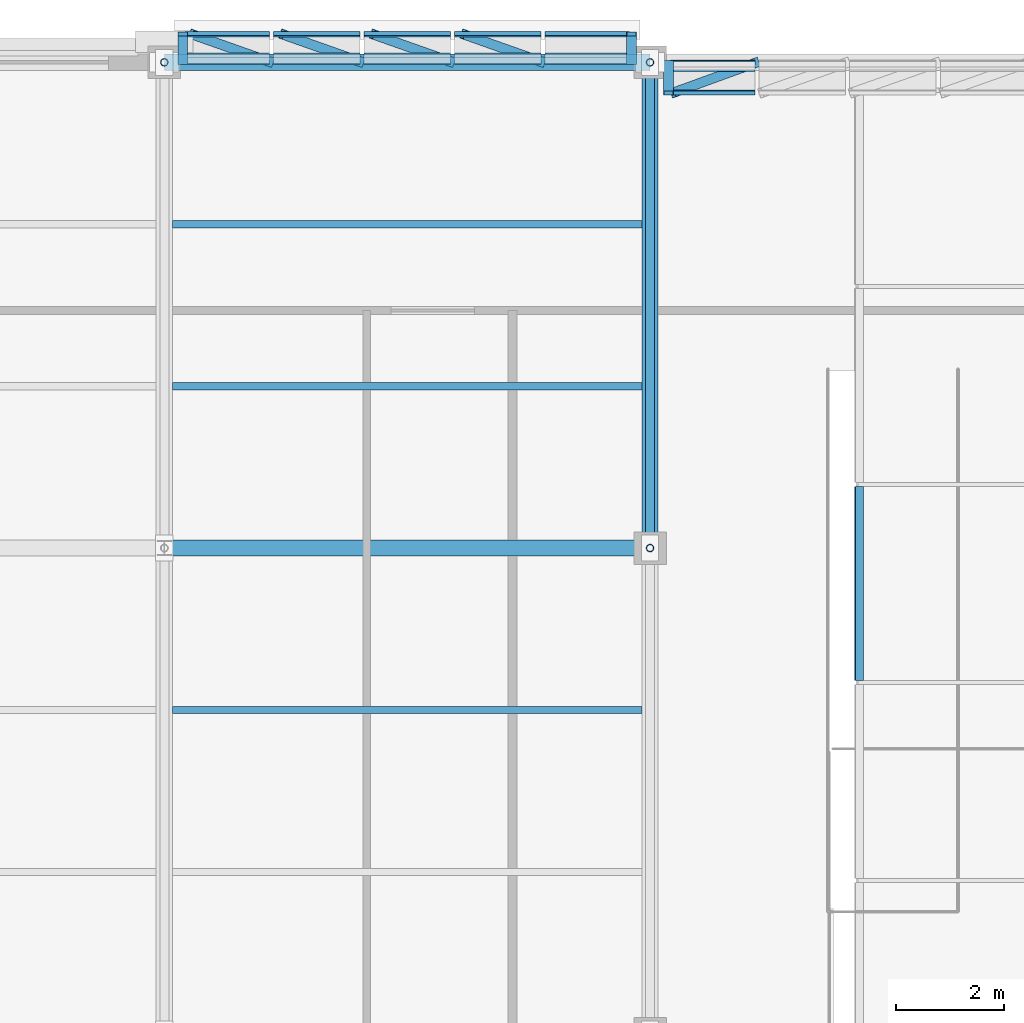
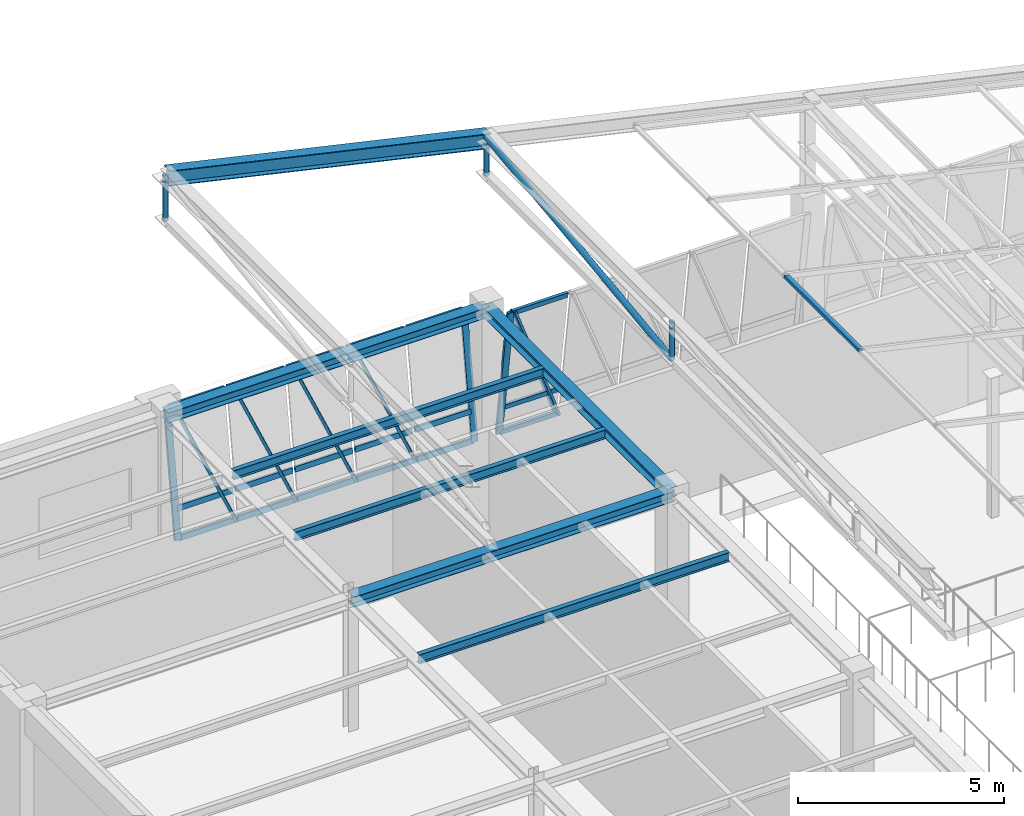
# One storey, part 76 of 130: 32 members, 6 beams, 3 elements without a shape of their own.
"""IFC4 building model written with IfcOpenShell, lengths in metres."""

from ifc_helpers import new_model, si_unit, direction, frame, origin, origin_2d, place, context, subcontext, project, spatial, hollow_rectangle, hollow_circle, i_section, extrude, material, material_profile, profile_set, type_object, element, aggregate, save


model = new_model("IFC4")

# Units and contexts
model_context = context("Model", 3, precision=1e-05, world=origin(), true_north=direction((0.0, 1.0)))
body_context = subcontext(model_context, "Body", "Model", "MODEL_VIEW")
ifc_project = project(units=[si_unit("LENGTHUNIT", "METRE"), si_unit("AREAUNIT", "SQUARE_METRE"), si_unit("VOLUMEUNIT", "CUBIC_METRE"), si_unit("PLANEANGLEUNIT", "RADIAN"), si_unit("MASSUNIT", "GRAM", prefix="KILO")], contexts=[model_context])

# Site, building, storey
site_placement = place(None, origin())
site = spatial("IfcSite", under=ifc_project, at=site_placement, CompositionType="ELEMENT")
building_placement = place(site_placement, origin())
building = spatial("IfcBuilding", under=site, at=building_placement, Name="Lykobir Media Centre", CompositionType="ELEMENT")
storey_placement = place(building_placement, frame((0.0, 0.0, 19.199951171875)))
storey = spatial("IfcBuildingStorey", under=building, at=storey_placement, Name="L04", CompositionType="ELEMENT", Elevation=19.199951171875)

# Beams
ifc_material_1 = material(Name="Steel S355", Category="steel")
ifc_material_profile_1 = material_profile(ifc_material_1, i_section(OverallWidth=0.300048828125, OverallDepth=0.2900390625, WebThickness=0.008544921875, FlangeThickness=0.013916015625, at=origin_2d()), Name="HEA 300")
ifc_profile_set_1 = profile_set([ifc_material_profile_1], Name="Steel S355")
beam_type_1 = type_object("IfcBeamType", Name="BM-HEA300", PredefinedType="BEAM", material=ifc_profile_set_1)
beam_1_placement = place(storey_placement, frame((45.0, 99.0, 3.81494140625), z_axis=(0.0, 1.0, 0.0), x_axis=(-1.0, 0.0, 0.0)))
element("IfcBeam", 1, at=beam_1_placement, inside=storey, type_object=beam_type_1, Name="Beam BM-L04-0450-0990-0450-1080-2302", PredefinedType="BEAM", context=body_context, shape_type="SweptSolid", body=[
    extrude(i_section(OverallWidth=0.300048828125, OverallDepth=0.2900390625, WebThickness=0.008544921875, FlangeThickness=0.013916015625, at=origin_2d()), origin(), (0.0, 0.0, 1.0), 9.0),
])
ifc_material_profile_2 = material_profile(ifc_material_1, i_section(OverallWidth=0.300048828125, OverallDepth=0.31005859375, WebThickness=0.009033203125, FlangeThickness=0.015380859375, at=origin_2d()), Name="HEA 320")
ifc_profile_set_2 = profile_set([ifc_material_profile_2], Name="Steel S355")
beam_type_2 = type_object("IfcBeamType", Name="BM-HEA320", PredefinedType="BEAM", material=ifc_profile_set_2)
beam_2_placement = place(storey_placement, frame((36.0, 99.0, 3.804931640625), z_axis=(1.0, 0.0, 0.0), x_axis=(0.0, 1.0, 0.0)))
element("IfcBeam", 2, at=beam_2_placement, inside=storey, type_object=beam_type_2, Name="Beam BM-L04-0360-0990-0450-0990-2300", PredefinedType="BEAM", context=body_context, shape_type="SweptSolid", body=[
    extrude(i_section(OverallWidth=0.300048828125, OverallDepth=0.31005859375, WebThickness=0.009033203125, FlangeThickness=0.015380859375, at=origin_2d()), origin(), (0.0, 0.0, 1.0), 9.0),
])

# Members
ifc_material_profile_3 = material_profile(ifc_material_1, hollow_circle(Radius=0.06982421875, WallThickness=0.008056640625, at=origin_2d()), Name="CHS 139.7x8.0")
ifc_profile_set_3 = profile_set([ifc_material_profile_3], Name="Steel S355")
member_type_1 = type_object("IfcMemberType", Name="BR-CHS140", PredefinedType="BRACE", material=ifc_profile_set_3)
member_1_placement = place(storey_placement, frame((36.0, 108.0, 10.93994140625), z_axis=(0.0, 0.0, -1.0), x_axis=(1.0, 0.0, 0.0)))
element("IfcMember", 3, at=member_1_placement, inside=storey, type_object=member_type_1, Name="Diagonal brace MEM2-L04-0360-1080-0301-0360-1080-0443", PredefinedType="BRACE", context=body_context, shape_type="SweptSolid", body=[
    extrude(hollow_circle(Radius=0.06982421875, WallThickness=0.008056640625, at=origin_2d()), origin(), (0.0, 0.0, 1.0), 1.349853515625),
])
for number, where, z_axis, x_axis, name in (
    (4, (45.0, 99.0, 8.900146484375), (0.0, 0.0, -1.0), (1.0, 0.0, 0.0), "Diagonal brace MEM2-L04-0450-0990-0281-0450-0990-0454"),
    (5, (45.0, 108.0, 8.900146484375), (0.0, 0.0, -1.0), (1.0, 0.0, 0.0), "Diagonal brace MEM2-L04-0450-1080-0281-0450-1080-0456"),
):
    element("IfcMember", number, at=place(storey_placement, frame(where, z_axis=z_axis, x_axis=x_axis)), inside=storey, type_object=member_type_1, Name=name, PredefinedType="BRACE", context=body_context, shape_type="SweptSolid", body=[
        extrude(hollow_circle(Radius=0.06982421875, WallThickness=0.008056640625, at=origin_2d()), origin(), (0.0, 0.0, 1.0), 1.1201171875),
    ])
ifc_material_profile_4 = material_profile(ifc_material_1, hollow_circle(Radius=0.084228515625, WallThickness=0.010009765625, at=origin_2d()), Name="CHS 168.3x10.0")
ifc_profile_set_4 = profile_set([ifc_material_profile_4], Name="Steel S355")
member_type_2 = type_object("IfcMemberType", Name="BR-CHS168", PredefinedType="BRACE", material=ifc_profile_set_4)
member_2_placement = place(storey_placement, frame((45.0, 99.0, 7.780029296875), z_axis=(0.0, 0.992343997404, 0.123504618601), x_axis=(-1.0, 0.0, 0.0)))
element("IfcMember", 6, at=member_2_placement, inside=storey, type_object=member_type_2, Name="Diagonal brace MEM2-L04-0450-0990-0270-0450-1080-0455", PredefinedType="BRACE", context=body_context, shape_type="SweptSolid", body=[
    extrude(hollow_circle(Radius=0.084228515625, WallThickness=0.010009765625, at=origin_2d()), origin(), (0.0, 0.0, 1.0), 9.0693359375),
])

# Curtain wall, members
ifc_material_2 = material(Name="Anodized Aluminium AW-6060", Category="aluminium")
curtain_wall_type_1 = type_object("IfcCurtainWallType", Name="CW-V6-CR4", PredefinedType="NOTDEFINED", material=ifc_material_2)
curtain_wall_1_placement = place(storey_placement, origin())
curtain_wall_1 = element("IfcCurtainWall", 7, at=curtain_wall_1_placement, inside=storey, type_object=curtain_wall_type_1, Name="Curtain wall CW2-L04-0163", PredefinedType="NOTDEFINED")
ifc_material_profile_5 = material_profile(ifc_material_2, hollow_rectangle(XDim=0.074951171875, YDim=0.179931640625, WallThickness=0.00390625, at=origin_2d()), Name="ALU MULLION 75x180")
ifc_profile_set_5 = profile_set([ifc_material_profile_5], Name="Anodized Aluminium AW-6060")
member_type_3 = type_object("IfcMemberType", Name="CWM-180", PredefinedType="MULLION", material=ifc_profile_set_5)
member_3_placement = place(storey_placement, frame((44.657470703125, 108.0, 0.0), z_axis=(0.0, 0.142593917485, 0.98978127619), x_axis=(0.0, 0.98978127619, -0.142593917485)))
member_3 = element("IfcMember", 8, at=member_3_placement, type_object=member_type_3, Name="CW2-L04-0163 mullion 1", PredefinedType="MULLION", context=body_context, shape_type="SweptSolid", body=[
    extrude(hollow_rectangle(XDim=0.074951171875, YDim=0.179931640625, WallThickness=0.00390625, at=origin_2d()), origin(), (0.0, 0.0, 1.0), 3.672607421875),
])
member_4_placement = place(storey_placement, frame((43.01708984375, 108.0, 0.0), z_axis=(-0.374625015426, 0.132209716698, 0.917701851708), x_axis=(-0.865391860701, 0.305407295361, -0.397269821875)))
member_4 = element("IfcMember", 9, at=member_4_placement, type_object=member_type_3, Name="CW2-L04-0163 mullion 2", PredefinedType="MULLION", context=body_context, shape_type="SweptSolid", body=[
    extrude(hollow_rectangle(XDim=0.074951171875, YDim=0.179931640625, WallThickness=0.00390625, at=origin_2d()), origin(), (0.0, 0.0, 1.0), 3.9609375),
])
member_5_placement = place(storey_placement, frame((41.339111328125, 108.0, 0.0), z_axis=(-0.374625015426, 0.132209716698, 0.917701851708), x_axis=(-0.865391860701, 0.305407295361, -0.397269821875)))
member_5 = element("IfcMember", 10, at=member_5_placement, type_object=member_type_3, Name="CW2-L04-0163 mullion 3", PredefinedType="MULLION", context=body_context, shape_type="SweptSolid", body=[
    extrude(hollow_rectangle(XDim=0.074951171875, YDim=0.179931640625, WallThickness=0.00390625, at=origin_2d()), origin(), (0.0, 0.0, 1.0), 3.9609375),
])
member_6_placement = place(storey_placement, frame((39.660888671875, 108.0, 0.0), z_axis=(-0.374572027629, 0.132212769337, 0.917723040869), x_axis=(-0.865396069103, 0.305459037062, -0.397220870874)))
member_6 = element("IfcMember", 11, at=member_6_placement, type_object=member_type_3, Name="CW2-L04-0163 mullion 4", PredefinedType="MULLION", context=body_context, shape_type="SweptSolid", body=[
    extrude(hollow_rectangle(XDim=0.074951171875, YDim=0.179931640625, WallThickness=0.00390625, at=origin_2d()), origin(), (0.0, 0.0, 1.0), 3.9609375),
])
member_7_placement = place(storey_placement, frame((37.98291015625, 108.0, 0.0), z_axis=(-0.374572027629, 0.132212769337, 0.917723040869), x_axis=(-0.865396069103, 0.305459037062, -0.397220870874)))
member_7 = element("IfcMember", 12, at=member_7_placement, type_object=member_type_3, Name="CW2-L04-0163 mullion 5", PredefinedType="MULLION", context=body_context, shape_type="SweptSolid", body=[
    extrude(hollow_rectangle(XDim=0.074951171875, YDim=0.179931640625, WallThickness=0.00390625, at=origin_2d()), origin(), (0.0, 0.0, 1.0), 3.9609375),
])
member_8_placement = place(storey_placement, frame((36.342529296875, 108.0, 0.0), z_axis=(0.0, 0.142593917485, 0.98978127619), x_axis=(0.0, 0.98978127619, -0.142593917485)))
member_8 = element("IfcMember", 13, at=member_8_placement, type_object=member_type_3, Name="CW2-L04-0163 mullion 6", PredefinedType="MULLION", context=body_context, shape_type="SweptSolid", body=[
    extrude(hollow_rectangle(XDim=0.074951171875, YDim=0.179931640625, WallThickness=0.00390625, at=origin_2d()), origin(), (0.0, 0.0, 1.0), 3.672607421875),
])

curtain_wall_2_placement = place(storey_placement, origin())
curtain_wall_2 = element("IfcCurtainWall", 14, at=curtain_wall_2_placement, inside=storey, type_object=curtain_wall_type_1, Name="Curtain wall CW2-L04-0164", PredefinedType="NOTDEFINED")
member_9_placement = place(storey_placement, frame((45.342529296875, 108.0, 0.0), z_axis=(0.0, -0.142657694389, 0.989772086003), x_axis=(0.0, 0.989772086003, 0.142657694389)))
member_9 = element("IfcMember", 15, at=member_9_placement, type_object=member_type_3, Name="CW2-L04-0164 mullion 1", PredefinedType="MULLION", context=body_context, shape_type="SweptSolid", body=[
    extrude(hollow_rectangle(XDim=0.074951171875, YDim=0.179931640625, WallThickness=0.00390625, at=origin_2d()), origin(), (0.0, 0.0, 1.0), 3.980712890625),
])
member_10_placement = place(storey_placement, frame((46.98291015625, 108.0, 0.0), z_axis=(-0.365976570158, -0.132760683435, 0.921105721961), x_axis=(0.86589329552, 0.314109139953, 0.389312533796)))
member_10 = element("IfcMember", 16, at=member_10_placement, type_object=member_type_3, Name="CW2-L04-0164 mullion 2", PredefinedType="MULLION", context=body_context, shape_type="SweptSolid", body=[
    extrude(hollow_rectangle(XDim=0.074951171875, YDim=0.179931640625, WallThickness=0.00390625, at=origin_2d()), origin(), (0.0, 0.0, 1.0), 4.27734375),
])

# Member
ifc_material_profile_6 = material_profile(ifc_material_2, hollow_rectangle(XDim=0.074951171875, YDim=0.14990234375, WallThickness=0.00341796875, at=origin_2d()), Name="ALU TRANSOM 75x150")
ifc_profile_set_6 = profile_set([ifc_material_profile_6], Name="Anodized Aluminium AW-6060")
member_type_4 = type_object("IfcMemberType", Name="CWT-150", PredefinedType="USERDEFINED", material=ifc_profile_set_6)
member_11_placement = place(storey_placement, frame((44.6201171875, 108.00537109375, 0.037109375), z_axis=(-1.0, 0.0, 0.0), x_axis=(0.0, -0.989776230908, 0.142628933706)))
member_11 = element("IfcMember", 17, at=member_11_placement, type_object=member_type_4, Name="CW2-L04-0163 transom 1.1", ObjectType="TRANSOM", PredefinedType="USERDEFINED", context=body_context, shape_type="SweptSolid", body=[
    extrude(hollow_rectangle(XDim=0.074951171875, YDim=0.14990234375, WallThickness=0.00341796875, at=origin_2d()), origin(), (0.0, 0.0, 1.0), 1.565673828125),
])

member_12_placement = place(storey_placement, frame((44.6201171875, 108.12109375, 0.84130859375), z_axis=(-1.0, 0.0, 0.0), x_axis=(0.0, -0.989776230908, 0.142628933706)))
member_12 = element("IfcMember", 18, at=member_12_placement, type_object=member_type_4, Name="CW2-L04-0163 transom 1.2", ObjectType="TRANSOM", PredefinedType="USERDEFINED", context=body_context, shape_type="SweptSolid", body=[
    extrude(hollow_rectangle(XDim=0.074951171875, YDim=0.14990234375, WallThickness=0.00341796875, at=origin_2d()), origin(), (0.0, 0.0, 1.0), 1.565673828125),
])

member_13_placement = place(storey_placement, frame((44.6201171875, 108.5185546875, 3.597900390625), z_axis=(-1.0, 0.0, 0.0), x_axis=(0.0, -0.989776230908, 0.142628933706)))
member_13 = element("IfcMember", 19, at=member_13_placement, type_object=member_type_4, Name="CW2-L04-0163 transom 1.3", ObjectType="TRANSOM", PredefinedType="USERDEFINED", context=body_context, shape_type="SweptSolid", body=[
    extrude(hollow_rectangle(XDim=0.074951171875, YDim=0.14990234375, WallThickness=0.00341796875, at=origin_2d()), origin(), (0.0, 0.0, 1.0), 1.565673828125),
])

member_14_placement = place(storey_placement, frame((42.9794921875, 108.00537109375, 0.037109375), z_axis=(-1.0, 0.0, 0.0), x_axis=(0.0, -0.989776230908, 0.142628933706)))
member_14 = element("IfcMember", 20, at=member_14_placement, type_object=member_type_4, Name="CW2-L04-0163 transom 2.1", ObjectType="TRANSOM", PredefinedType="USERDEFINED", context=body_context, shape_type="SweptSolid", body=[
    extrude(hollow_rectangle(XDim=0.074951171875, YDim=0.14990234375, WallThickness=0.00341796875, at=origin_2d()), origin(), (0.0, 0.0, 1.0), 1.60302734375),
])

member_15_placement = place(storey_placement, frame((42.9794921875, 108.12109375, 0.84130859375), z_axis=(-1.0, 0.0, 0.0), x_axis=(0.0, -0.989776230908, 0.142628933706)))
member_15 = element("IfcMember", 21, at=member_15_placement, type_object=member_type_4, Name="CW2-L04-0163 transom 2.2", ObjectType="TRANSOM", PredefinedType="USERDEFINED", context=body_context, shape_type="SweptSolid", body=[
    extrude(hollow_rectangle(XDim=0.074951171875, YDim=0.14990234375, WallThickness=0.00341796875, at=origin_2d()), origin(), (0.0, 0.0, 1.0), 1.60302734375),
])

member_16_placement = place(storey_placement, frame((42.9794921875, 108.5185546875, 3.597900390625), z_axis=(-1.0, 0.0, 0.0), x_axis=(0.0, -0.989776230908, 0.142628933706)))
member_16 = element("IfcMember", 22, at=member_16_placement, type_object=member_type_4, Name="CW2-L04-0163 transom 2.3", ObjectType="TRANSOM", PredefinedType="USERDEFINED", context=body_context, shape_type="SweptSolid", body=[
    extrude(hollow_rectangle(XDim=0.074951171875, YDim=0.14990234375, WallThickness=0.00341796875, at=origin_2d()), origin(), (0.0, 0.0, 1.0), 1.60302734375),
])

member_17_placement = place(storey_placement, frame((41.301513671875, 108.00537109375, 0.037109375), z_axis=(-1.0, 0.0, 0.0), x_axis=(0.0, -0.989776230908, 0.142628933706)))
member_17 = element("IfcMember", 23, at=member_17_placement, type_object=member_type_4, Name="CW2-L04-0163 transom 3.1", ObjectType="TRANSOM", PredefinedType="USERDEFINED", context=body_context, shape_type="SweptSolid", body=[
    extrude(hollow_rectangle(XDim=0.074951171875, YDim=0.14990234375, WallThickness=0.00341796875, at=origin_2d()), origin(), (0.0, 0.0, 1.0), 1.60302734375),
])

member_18_placement = place(storey_placement, frame((41.301513671875, 108.12109375, 0.84130859375), z_axis=(-1.0, 0.0, 0.0), x_axis=(0.0, -0.989776230908, 0.142628933706)))
member_18 = element("IfcMember", 24, at=member_18_placement, type_object=member_type_4, Name="CW2-L04-0163 transom 3.2", ObjectType="TRANSOM", PredefinedType="USERDEFINED", context=body_context, shape_type="SweptSolid", body=[
    extrude(hollow_rectangle(XDim=0.074951171875, YDim=0.14990234375, WallThickness=0.00341796875, at=origin_2d()), origin(), (0.0, 0.0, 1.0), 1.60302734375),
])

member_19_placement = place(storey_placement, frame((41.301513671875, 108.5185546875, 3.597900390625), z_axis=(-1.0, 0.0, 0.0), x_axis=(0.0, -0.989776230908, 0.142628933706)))
member_19 = element("IfcMember", 25, at=member_19_placement, type_object=member_type_4, Name="CW2-L04-0163 transom 3.3", ObjectType="TRANSOM", PredefinedType="USERDEFINED", context=body_context, shape_type="SweptSolid", body=[
    extrude(hollow_rectangle(XDim=0.074951171875, YDim=0.14990234375, WallThickness=0.00341796875, at=origin_2d()), origin(), (0.0, 0.0, 1.0), 1.60302734375),
])

member_20_placement = place(storey_placement, frame((39.62353515625, 108.00537109375, 0.037109375), z_axis=(-1.0, 0.0, 0.0), x_axis=(0.0, -0.989776230908, 0.142628933706)))
member_20 = element("IfcMember", 26, at=member_20_placement, type_object=member_type_4, Name="CW2-L04-0163 transom 4.1", ObjectType="TRANSOM", PredefinedType="USERDEFINED", context=body_context, shape_type="SweptSolid", body=[
    extrude(hollow_rectangle(XDim=0.074951171875, YDim=0.14990234375, WallThickness=0.00341796875, at=origin_2d()), origin(), (0.0, 0.0, 1.0), 1.60302734375),
])

member_21_placement = place(storey_placement, frame((39.62353515625, 108.12109375, 0.84130859375), z_axis=(-1.0, 0.0, 0.0), x_axis=(0.0, -0.989776230908, 0.142628933706)))
member_21 = element("IfcMember", 27, at=member_21_placement, type_object=member_type_4, Name="CW2-L04-0163 transom 4.2", ObjectType="TRANSOM", PredefinedType="USERDEFINED", context=body_context, shape_type="SweptSolid", body=[
    extrude(hollow_rectangle(XDim=0.074951171875, YDim=0.14990234375, WallThickness=0.00341796875, at=origin_2d()), origin(), (0.0, 0.0, 1.0), 1.60302734375),
])

member_22_placement = place(storey_placement, frame((39.62353515625, 108.5185546875, 3.597900390625), z_axis=(-1.0, 0.0, 0.0), x_axis=(0.0, -0.989776230908, 0.142628933706)))
member_22 = element("IfcMember", 28, at=member_22_placement, type_object=member_type_4, Name="CW2-L04-0163 transom 4.3", ObjectType="TRANSOM", PredefinedType="USERDEFINED", context=body_context, shape_type="SweptSolid", body=[
    extrude(hollow_rectangle(XDim=0.074951171875, YDim=0.14990234375, WallThickness=0.00341796875, at=origin_2d()), origin(), (0.0, 0.0, 1.0), 1.60302734375),
])

member_23_placement = place(storey_placement, frame((37.945556640625, 108.00537109375, 0.037109375), z_axis=(-1.0, 0.0, 0.0), x_axis=(0.0, -0.989776230908, 0.142628933706)))
member_23 = element("IfcMember", 29, at=member_23_placement, type_object=member_type_4, Name="CW2-L04-0163 transom 5.1", ObjectType="TRANSOM", PredefinedType="USERDEFINED", context=body_context, shape_type="SweptSolid", body=[
    extrude(hollow_rectangle(XDim=0.074951171875, YDim=0.14990234375, WallThickness=0.00341796875, at=origin_2d()), origin(), (0.0, 0.0, 1.0), 1.565673828125),
])

member_24_placement = place(storey_placement, frame((37.945556640625, 108.12109375, 0.84130859375), z_axis=(-1.0, 0.0, 0.0), x_axis=(0.0, -0.989776230908, 0.142628933706)))
member_24 = element("IfcMember", 30, at=member_24_placement, type_object=member_type_4, Name="CW2-L04-0163 transom 5.2", ObjectType="TRANSOM", PredefinedType="USERDEFINED", context=body_context, shape_type="SweptSolid", body=[
    extrude(hollow_rectangle(XDim=0.074951171875, YDim=0.14990234375, WallThickness=0.00341796875, at=origin_2d()), origin(), (0.0, 0.0, 1.0), 1.565673828125),
])

member_25_placement = place(storey_placement, frame((37.945556640625, 108.5185546875, 3.597900390625), z_axis=(-1.0, 0.0, 0.0), x_axis=(0.0, -0.989776230908, 0.142628933706)))
member_25 = element("IfcMember", 31, at=member_25_placement, type_object=member_type_4, Name="CW2-L04-0163 transom 5.3", ObjectType="TRANSOM", PredefinedType="USERDEFINED", context=body_context, shape_type="SweptSolid", body=[
    extrude(hollow_rectangle(XDim=0.074951171875, YDim=0.14990234375, WallThickness=0.00341796875, at=origin_2d()), origin(), (0.0, 0.0, 1.0), 1.565673828125),
])

aggregate(curtain_wall_1, [member_3, member_4, member_5, member_6, member_7, member_8, member_11, member_12, member_13, member_14, member_15, member_16, member_17, member_18, member_19, member_20, member_21, member_22, member_23, member_24, member_25])

member_26_placement = place(storey_placement, frame((45.3798828125, 107.99462890625, 0.037109375), z_axis=(1.0, 0.0, 0.0), x_axis=(0.0, 0.989776230908, 0.142628933706)))
member_26 = element("IfcMember", 32, at=member_26_placement, type_object=member_type_4, Name="CW2-L04-0164 transom 1.1", ObjectType="TRANSOM", PredefinedType="USERDEFINED", context=body_context, shape_type="SweptSolid", body=[
    extrude(hollow_rectangle(XDim=0.074951171875, YDim=0.14990234375, WallThickness=0.00341796875, at=origin_2d()), origin(), (0.0, 0.0, 1.0), 1.565673828125),
])

member_27_placement = place(storey_placement, frame((45.3798828125, 107.87890625, 0.84130859375), z_axis=(1.0, 0.0, 0.0), x_axis=(0.0, 0.989776230908, 0.142628933706)))
member_27 = element("IfcMember", 33, at=member_27_placement, type_object=member_type_4, Name="CW2-L04-0164 transom 1.2", ObjectType="TRANSOM", PredefinedType="USERDEFINED", context=body_context, shape_type="SweptSolid", body=[
    extrude(hollow_rectangle(XDim=0.074951171875, YDim=0.14990234375, WallThickness=0.00341796875, at=origin_2d()), origin(), (0.0, 0.0, 1.0), 1.565673828125),
])

member_28_placement = place(storey_placement, frame((45.3798828125, 107.4375, 3.90283203125), z_axis=(1.0, 0.0, 0.0), x_axis=(0.0, 0.989776230908, 0.142628933706)))
member_28 = element("IfcMember", 34, at=member_28_placement, type_object=member_type_4, Name="CW2-L04-0164 transom 1.3", ObjectType="TRANSOM", PredefinedType="USERDEFINED", context=body_context, shape_type="SweptSolid", body=[
    extrude(hollow_rectangle(XDim=0.074951171875, YDim=0.14990234375, WallThickness=0.00341796875, at=origin_2d()), origin(), (0.0, 0.0, 1.0), 1.565673828125),
])

aggregate(curtain_wall_2, [member_9, member_10, member_26, member_27, member_28])

# Curtain wall, member
curtain_wall_type_2 = type_object("IfcCurtainWallType", Name="CW-V6-SKY", PredefinedType="NOTDEFINED", material=ifc_material_2)
curtain_wall_3_placement = place(storey_placement, origin())
curtain_wall_3 = element("IfcCurtainWall", 35, at=curtain_wall_3_placement, inside=storey, type_object=curtain_wall_type_2, Name="Curtain wall CW-V6-SKY05", PredefinedType="NOTDEFINED")
member_29_placement = place(storey_placement, frame((48.871337890625, 100.142578125, 8.178955078125), z_axis=(0.0, -1.0, 0.0), x_axis=(0.221054901821, 0.0, 0.975261365164)))
member_29 = element("IfcMember", 36, at=member_29_placement, type_object=member_type_4, Name="CW-V6-SKY05 transom 3.3", ObjectType="TRANSOM", PredefinedType="USERDEFINED", context=body_context, shape_type="SweptSolid", body=[
    extrude(hollow_rectangle(XDim=0.074951171875, YDim=0.14990234375, WallThickness=0.00341796875, at=origin_2d()), origin(), (0.0, 0.0, 1.0), 3.594970703125),
])
aggregate(curtain_wall_3, [member_29])

# Beams
ifc_material_profile_7 = material_profile(ifc_material_1, i_section(OverallWidth=0.135009765625, OverallDepth=0.27001953125, WebThickness=0.006591796875, FlangeThickness=0.01025390625, at=origin_2d()), Name="IPE 270")
ifc_profile_set_7 = profile_set([ifc_material_profile_7], Name="Steel S355")
beam_type_3 = type_object("IfcBeamType", Name="JS-IPE270", PredefinedType="JOIST", material=ifc_profile_set_7)
for number, where, z_axis, x_axis, name in (
    (37, (36.14990234375, 96.0, 3.824951171875), (1.0, 0.0, 0.0), (0.0, 1.0, 0.0), "Beam BM-L04-0362-0960-0448-0960-2302"),
    (38, (36.14990234375, 102.0, 3.824951171875), (1.0, 0.0, 0.0), (0.0, 1.0, 0.0), "Beam BM-L04-0362-1020-0448-1020-2302"),
    (39, (36.14990234375, 105.0, 3.824951171875), (1.0, 0.0, 0.0), (0.0, 1.0, 0.0), "Beam BM-L04-0362-1050-0448-1050-2302"),
):
    element("IfcBeam", number, at=place(storey_placement, frame(where, z_axis=z_axis, x_axis=x_axis)), inside=storey, type_object=beam_type_3, Name=name, PredefinedType="JOIST", context=body_context, shape_type="SweptSolid", body=[
        extrude(i_section(OverallWidth=0.135009765625, OverallDepth=0.27001953125, WebThickness=0.006591796875, FlangeThickness=0.01025390625, at=origin_2d()), origin(), (0.0, 0.0, 1.0), 8.7001953125),
    ])
ifc_material_profile_8 = material_profile(ifc_material_1, i_section(OverallWidth=0.300048828125, OverallDepth=0.31005859375, WebThickness=0.009033203125, FlangeThickness=0.015380859375, at=origin_2d()), Name="HEA 320")
ifc_profile_set_8 = profile_set([ifc_material_profile_8], Name="Steel S355")
beam_type_4 = type_object("IfcBeamType", Name="SP-HEA320", PredefinedType="SPANDREL", material=ifc_profile_set_8)
beam_3_placement = place(storey_placement, frame((36.0, 108.0, 3.804931640625), z_axis=(1.0, 0.0, 0.0), x_axis=(0.0, 1.0, 0.0)))
element("IfcBeam", 40, at=beam_3_placement, inside=storey, type_object=beam_type_4, Name="Beam BM-L04-0360-1080-0450-1080-2300", PredefinedType="SPANDREL", context=body_context, shape_type="SweptSolid", body=[
    extrude(i_section(OverallWidth=0.300048828125, OverallDepth=0.31005859375, WebThickness=0.009033203125, FlangeThickness=0.015380859375, at=origin_2d()), origin(), (0.0, 0.0, 1.0), 9.0),
])

# Member
ifc_material_profile_9 = material_profile(ifc_material_1, i_section(OverallWidth=0.300048828125, OverallDepth=0.43994140625, WebThickness=0.011474609375, FlangeThickness=0.02099609375, at=origin_2d()), Name="HEA 450")
ifc_profile_set_9 = profile_set([ifc_material_profile_9], Name="Steel S355")
member_type_5 = type_object("IfcMemberType", Name="TC-HEA450-E", PredefinedType="CHORD", material=ifc_profile_set_9)
member_30_placement = place(storey_placement, frame((36.0, 108.0, 10.900146484375), z_axis=(0.975259516727, 0.0, -0.221063056689), x_axis=(0.0, 1.0, 0.0)))
element("IfcMember", 41, at=member_30_placement, inside=storey, type_object=member_type_5, Name="Truss chord MEM2-L04-0360-1080-0301-0450-1080-0426", PredefinedType="CHORD", context=body_context, shape_type="SweptSolid", body=[
    extrude(i_section(OverallWidth=0.300048828125, OverallDepth=0.43994140625, WebThickness=0.011474609375, FlangeThickness=0.02099609375, at=origin_2d()), origin(), (0.0, 0.0, 1.0), 9.228271484375),
])

save(model, "model.ifc")
